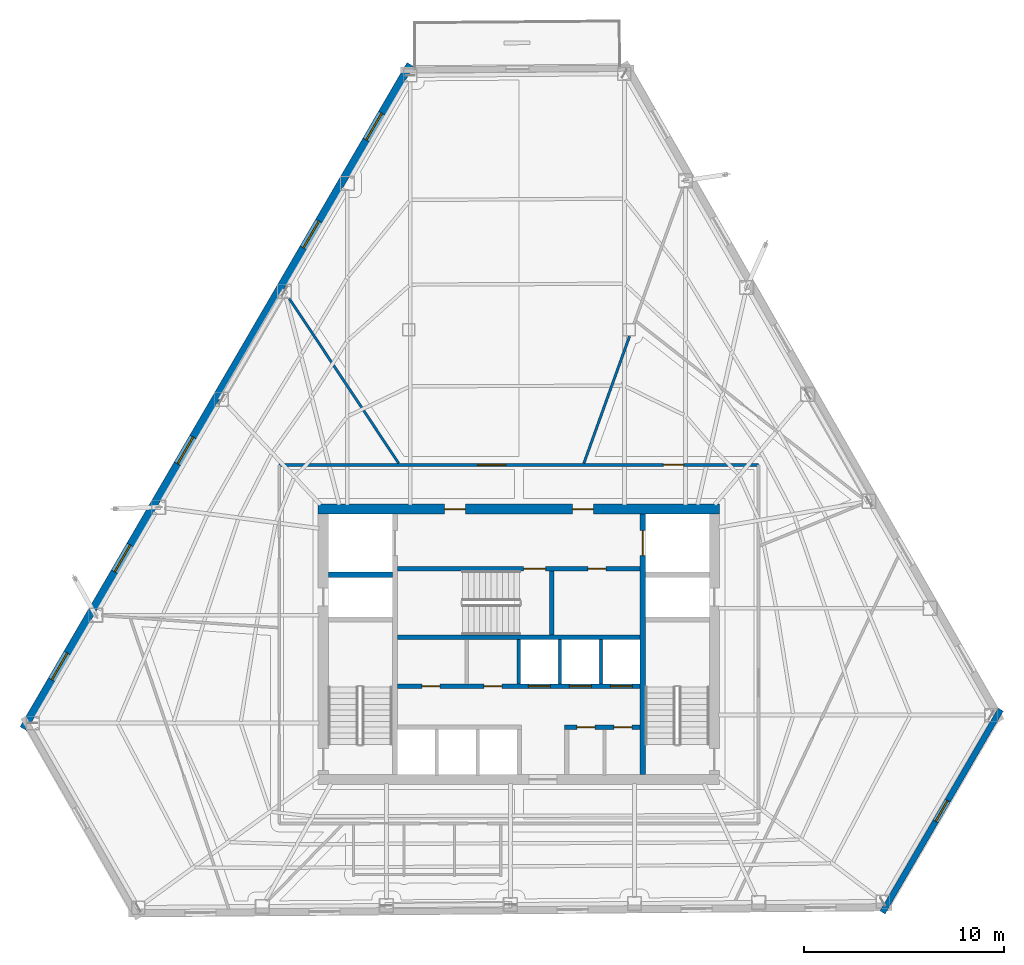
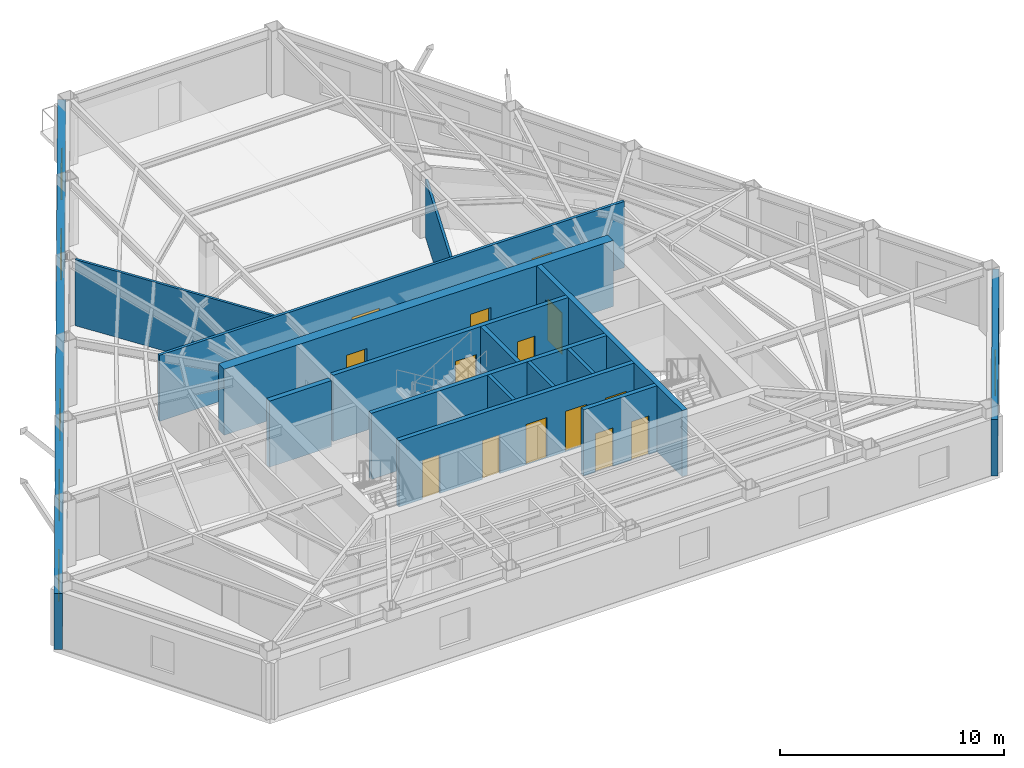
# One storey, part 9 of 12: 16 walls, 14 doors, 6 windows, 20 openings.
"""IFC4 building model written with IfcOpenShell, lengths in metres."""

from ifc_helpers import new_model, si_unit, direction, frame, frame_2d, origin, place, context, subcontext, project, spatial, rectangle, extrude, material, layer, layer_set, type_object, element, fill, save


model = new_model("IFC4")

# Units and contexts
model_context = context("Model", 3, precision=1e-05, world=origin(), true_north=direction((0.0, 1.0)))
body_context = subcontext(model_context, "Body", "Model", "MODEL_VIEW")
ifc_project = project(units=[si_unit("LENGTHUNIT", "METRE"), si_unit("AREAUNIT", "SQUARE_METRE"), si_unit("VOLUMEUNIT", "CUBIC_METRE"), si_unit("PLANEANGLEUNIT", "RADIAN"), si_unit("MASSUNIT", "GRAM", prefix="KILO")], contexts=[model_context])

# Site, building, storey
site_placement = place(None, origin())
site = spatial("IfcSite", under=ifc_project, at=site_placement, CompositionType="ELEMENT")
building_placement = place(site_placement, origin())
building = spatial("IfcBuilding", under=site, at=building_placement, Name="Kavelnor Concourse Tower", CompositionType="ELEMENT")
storey_placement = place(building_placement, frame((0.0, 0.0, 147.10009765625)))
storey = spatial("IfcBuildingStorey", under=building, at=storey_placement, Name="L37", CompositionType="ELEMENT", Elevation=147.10009765625)

# Wall, openings, doors
ifc_material_1 = material(Name="Concrete C60/75", Category="concrete")
ifc_layer_1 = layer(ifc_material_1, 0.5, Name="Concrete C60/75")
ifc_layer_set_1 = layer_set([ifc_layer_1], Name="Concrete C60/75")
wall_type_1 = type_object("IfcWallType", Name="WL-CORE-Z2-500", PredefinedType="SOLIDWALL", material=ifc_layer_set_1)
wall_1_placement = place(storey_placement, frame((27.97998046875, 22.85009765625, 0.0), z_axis=(0.0, 0.0, 1.0), x_axis=(1.0, 0.0, 0.0)))
wall_1 = element("IfcWall", 1, at=wall_1_placement, inside=storey, type_object=wall_type_1, Name="L37 Central Core North Shear Wall", PredefinedType="SOLIDWALL", context=body_context, shape_type="SweptSolid", body=[
    extrude(rectangle(XDim=20.0400390625, YDim=0.5, at=frame_2d((10.02001953125, 0.0))), origin(), (0.0, 0.0, 1.0), 3.599853515625),
])
opening_1_placement = place(wall_1_placement, frame((6.294921875, 0.0, 0.0)))
opening_1 = element("IfcOpeningElement", 2, at=opening_1_placement, cuts=wall_1, Name="Opening FD-105", PredefinedType="OPENING", context=body_context, shape_type="SweptSolid", body=[
    extrude(rectangle(XDim=1.050048828125, YDim=2.14990234375, at=frame_2d((0.52490234375, 1.074951171875))), frame((0.0, 0.260009765625, 0.0), z_axis=(0.0, -1.0, 0.0), x_axis=(1.0, 0.0, 0.0)), (0.0, 0.0, 1.0), 0.52001953125),
])
opening_2_placement = place(wall_1_placement, frame((12.695068359375, 0.0, 0.0)))
opening_2 = element("IfcOpeningElement", 3, at=opening_2_placement, cuts=wall_1, Name="Opening FD-105", PredefinedType="OPENING", context=body_context, shape_type="SweptSolid", body=[
    extrude(rectangle(XDim=1.050048828125, YDim=2.14990234375, at=frame_2d((0.52490234375, 1.074951171875))), frame((0.0, 0.260009765625, 0.0), z_axis=(0.0, -1.0, 0.0), x_axis=(1.0, 0.0, 0.0)), (0.0, 0.0, 1.0), 0.52001953125),
])
ifc_material_2 = material(Name="Steel Grade 350", Category="steel")
door_type_1 = type_object("IfcDoorType", Name="DR-LOBBY-FIRE-1050", OperationType="NOTDEFINED", PredefinedType="DOOR", material=ifc_material_2)
door_1_placement = place(opening_1_placement, origin())
door_1 = element("IfcDoor", 4, at=door_1_placement, inside=storey, type_object=door_type_1, Name="L37 Emergency Lift Lobby West Door", OperationType="SINGLE_SWING_LEFT", OverallHeight=2.14990234375, OverallWidth=1.050048828125, PredefinedType="DOOR", context=body_context, shape_type="SweptSolid", body=[
    extrude(rectangle(XDim=1.050048828125, YDim=2.14990234375, at=frame_2d((0.52490234375, 1.074951171875))), frame((0.0, 0.02490234375, 0.0), z_axis=(0.0, -1.0, 0.0), x_axis=(1.0, 0.0, 0.0)), (0.0, 0.0, 1.0), 0.050048828125),
])
fill(opening_1, door_1)
door_2_placement = place(opening_2_placement, origin())
door_2 = element("IfcDoor", 5, at=door_2_placement, inside=storey, type_object=door_type_1, Name="L37 Emergency Lift Lobby East Door", OperationType="SINGLE_SWING_RIGHT", OverallHeight=2.14990234375, OverallWidth=1.050048828125, PredefinedType="DOOR", context=body_context, shape_type="SweptSolid", body=[
    extrude(rectangle(XDim=1.050048828125, YDim=2.14990234375, at=frame_2d((0.52490234375, 1.074951171875))), frame((0.0, 0.02490234375, 0.0), z_axis=(0.0, -1.0, 0.0), x_axis=(1.0, 0.0, 0.0)), (0.0, 0.0, 1.0), 0.050048828125),
])
fill(opening_2, door_2)

# Wall, opening, window
ifc_material_3 = material(Name="Buff ironspot clay face brick masonry", Category="masonry")
ifc_layer_2 = layer(ifc_material_3, 0.300048828125, Name="Buff ironspot clay face brick masonry")
ifc_layer_set_2 = layer_set([ifc_layer_2], Name="Buff ironspot clay face brick masonry")
wall_type_2 = type_object("IfcWallType", Name="WL-EXT-BUFF-BRICK-FOLD-300", PredefinedType="STANDARD", material=ifc_layer_set_2)
wall_2_placement = place(storey_placement, frame((62.0673828125, 12.8310546875, 0.0), z_axis=(0.0, 0.0, 1.0), x_axis=(-0.503465825423, -0.864015140279, 0.0)))
wall_2 = element("IfcWall", 6, at=wall_2_placement, inside=storey, type_object=wall_type_2, Name="L37 Exterior Brick Facade Wall E4", PredefinedType="STANDARD", context=body_context, shape_type="SweptSolid", body=[
    extrude(rectangle(XDim=11.727294921875, YDim=0.300048828125, at=frame_2d((5.86376953125, 0.0))), origin(), (0.0, 0.0, 1.0), 3.058837890625),
])
opening_3_placement = place(wall_2_placement, frame((5.263671875, 0.0, 0.64990234375)))
opening_3 = element("IfcOpeningElement", 7, at=opening_3_placement, cuts=wall_2, Name="Opening W-05", PredefinedType="OPENING", context=body_context, shape_type="SweptSolid", body=[
    extrude(rectangle(XDim=1.199951171875, YDim=1.699951171875, at=frame_2d((0.60009765625, 0.85009765625))), frame((0.0, 0.16015625, 0.0), z_axis=(0.0, -1.0, 0.0), x_axis=(1.0, 0.0, 0.0)), (0.0, 0.0, 1.0), 0.320068359375),
])
ifc_material_4 = material(Name="Double low-E argon insulated glazing", Category="glass")
window_type_1 = type_object("IfcWindowType", Name="WIN-FOLD-1200", PartitioningType="SINGLE_PANEL", PredefinedType="WINDOW", material=ifc_material_4)
window_1_placement = place(opening_3_placement, origin())
window_1 = element("IfcWindow", 8, at=window_1_placement, inside=storey, type_object=window_type_1, Name="L37 Chamfer-Fold Facet Window C2", OverallHeight=1.699951171875, OverallWidth=1.199951171875, PartitioningType="SINGLE_PANEL", PredefinedType="WINDOW", context=body_context, shape_type="SweptSolid", body=[
    extrude(rectangle(XDim=1.199951171875, YDim=1.699951171875, at=frame_2d((0.60009765625, 0.85009765625))), frame((0.0, 0.030029296875, 0.0), z_axis=(0.0, -1.0, 0.0), x_axis=(1.0, 0.0, 0.0)), (0.0, 0.0, 1.0), 0.06005859375),
])
fill(opening_3, window_1)

# Wall, openings, windows
ifc_material_5 = material(Name="Red-ochre clay face brick masonry", Category="masonry")
ifc_layer_3 = layer(ifc_material_5, 0.3798828125, Name="Red-ochre clay face brick masonry")
ifc_layer_set_3 = layer_set([ifc_layer_3], Name="Red-ochre clay face brick masonry")
wall_type_3 = type_object("IfcWallType", Name="WL-EXT-RED-BRICK-PIER-380", PredefinedType="STANDARD", material=ifc_layer_set_3)
wall_3_placement = place(storey_placement, frame((13.248046875, 11.87890625, 0.0), z_axis=(0.0, 0.0, 1.0), x_axis=(0.503467320033, 0.864014269361, 0.0)))
wall_3 = element("IfcWall", 9, at=wall_3_placement, inside=storey, type_object=wall_type_3, Name="L37 Exterior Brick Facade Wall E1", PredefinedType="STANDARD", context=body_context, shape_type="SweptSolid", body=[
    extrude(rectangle(XDim=38.395751953125, YDim=0.3798828125, at=frame_2d((19.19775390625, 0.0))), origin(), (0.0, 0.0, 1.0), 3.058837890625),
])
opening_4_placement = place(wall_3_placement, frame((34.027099609375, 0.0, 0.64990234375)))
opening_4 = element("IfcOpeningElement", 10, at=opening_4_placement, cuts=wall_3, Name="Opening W-02", PredefinedType="OPENING", context=body_context, shape_type="SweptSolid", body=[
    extrude(rectangle(XDim=1.550048828125, YDim=1.75, at=frame_2d((0.77490234375, 0.875))), frame((0.0, 0.199951171875, 0.0), z_axis=(0.0, -1.0, 0.0), x_axis=(1.0, 0.0, 0.0)), (0.0, 0.0, 1.0), 0.39990234375),
])
opening_5_placement = place(wall_3_placement, frame((27.786376953125, 0.0, 0.64990234375)))
opening_5 = element("IfcOpeningElement", 11, at=opening_5_placement, cuts=wall_3, Name="Opening W-02", PredefinedType="OPENING", context=body_context, shape_type="SweptSolid", body=[
    extrude(rectangle(XDim=1.550048828125, YDim=1.75, at=frame_2d((0.77490234375, 0.875))), frame((0.0, 0.199951171875, 0.0), z_axis=(0.0, -1.0, 0.0), x_axis=(1.0, 0.0, 0.0)), (0.0, 0.0, 1.0), 0.39990234375),
])
opening_6_placement = place(wall_3_placement, frame((15.304443359375, 0.0, 0.64990234375)))
opening_6 = element("IfcOpeningElement", 12, at=opening_6_placement, cuts=wall_3, Name="Opening W-02", PredefinedType="OPENING", context=body_context, shape_type="SweptSolid", body=[
    extrude(rectangle(XDim=1.550048828125, YDim=1.75, at=frame_2d((0.77490234375, 0.875))), frame((0.0, 0.199951171875, 0.0), z_axis=(0.0, -1.0, 0.0), x_axis=(1.0, 0.0, 0.0)), (0.0, 0.0, 1.0), 0.39990234375),
])
opening_7_placement = place(wall_3_placement, frame((9.0634765625, 0.0, 0.64990234375)))
opening_7 = element("IfcOpeningElement", 13, at=opening_7_placement, cuts=wall_3, Name="Opening W-02", PredefinedType="OPENING", context=body_context, shape_type="SweptSolid", body=[
    extrude(rectangle(XDim=1.550048828125, YDim=1.75, at=frame_2d((0.77490234375, 0.875))), frame((0.0, 0.199951171875, 0.0), z_axis=(0.0, -1.0, 0.0), x_axis=(1.0, 0.0, 0.0)), (0.0, 0.0, 1.0), 0.39990234375),
])
opening_8_placement = place(wall_3_placement, frame((2.822509765625, 0.0, 0.64990234375)))
opening_8 = element("IfcOpeningElement", 14, at=opening_8_placement, cuts=wall_3, Name="Opening W-02", PredefinedType="OPENING", context=body_context, shape_type="SweptSolid", body=[
    extrude(rectangle(XDim=1.550048828125, YDim=1.75, at=frame_2d((0.77490234375, 0.875))), frame((0.0, 0.199951171875, 0.0), z_axis=(0.0, -1.0, 0.0), x_axis=(1.0, 0.0, 0.0)), (0.0, 0.0, 1.0), 0.39990234375),
])
window_type_2 = type_object("IfcWindowType", Name="WIN-PIER-Z2-1650", PartitioningType="SINGLE_PANEL", PredefinedType="WINDOW", material=ifc_material_4)
window_2_placement = place(opening_4_placement, origin())
window_2 = element("IfcWindow", 15, at=window_2_placement, inside=storey, type_object=window_type_2, Name="L37 Deep-Set Brick Pier Window F0-B0", OverallHeight=1.75, OverallWidth=1.550048828125, PartitioningType="SINGLE_PANEL", PredefinedType="WINDOW", context=body_context, shape_type="SweptSolid", body=[
    extrude(rectangle(XDim=1.550048828125, YDim=1.75, at=frame_2d((0.77490234375, 0.875))), frame((0.0, 0.030029296875, 0.0), z_axis=(0.0, -1.0, 0.0), x_axis=(1.0, 0.0, 0.0)), (0.0, 0.0, 1.0), 0.06005859375),
])
fill(opening_4, window_2)
window_3_placement = place(opening_5_placement, origin())
window_3 = element("IfcWindow", 16, at=window_3_placement, inside=storey, type_object=window_type_2, Name="L37 Deep-Set Brick Pier Window F0-B1", OverallHeight=1.75, OverallWidth=1.550048828125, PartitioningType="SINGLE_PANEL", PredefinedType="WINDOW", context=body_context, shape_type="SweptSolid", body=[
    extrude(rectangle(XDim=1.550048828125, YDim=1.75, at=frame_2d((0.77490234375, 0.875))), frame((0.0, 0.030029296875, 0.0), z_axis=(0.0, -1.0, 0.0), x_axis=(1.0, 0.0, 0.0)), (0.0, 0.0, 1.0), 0.06005859375),
])
fill(opening_5, window_3)
window_4_placement = place(opening_6_placement, origin())
window_4 = element("IfcWindow", 17, at=window_4_placement, inside=storey, type_object=window_type_2, Name="L37 Deep-Set Brick Pier Window F0-B3", OverallHeight=1.75, OverallWidth=1.550048828125, PartitioningType="SINGLE_PANEL", PredefinedType="WINDOW", context=body_context, shape_type="SweptSolid", body=[
    extrude(rectangle(XDim=1.550048828125, YDim=1.75, at=frame_2d((0.77490234375, 0.875))), frame((0.0, 0.030029296875, 0.0), z_axis=(0.0, -1.0, 0.0), x_axis=(1.0, 0.0, 0.0)), (0.0, 0.0, 1.0), 0.06005859375),
])
fill(opening_6, window_4)
window_5_placement = place(opening_7_placement, origin())
window_5 = element("IfcWindow", 18, at=window_5_placement, inside=storey, type_object=window_type_2, Name="L37 Deep-Set Brick Pier Window F0-B4", OverallHeight=1.75, OverallWidth=1.550048828125, PartitioningType="SINGLE_PANEL", PredefinedType="WINDOW", context=body_context, shape_type="SweptSolid", body=[
    extrude(rectangle(XDim=1.550048828125, YDim=1.75, at=frame_2d((0.77490234375, 0.875))), frame((0.0, 0.030029296875, 0.0), z_axis=(0.0, -1.0, 0.0), x_axis=(1.0, 0.0, 0.0)), (0.0, 0.0, 1.0), 0.06005859375),
])
fill(opening_7, window_5)
window_6_placement = place(opening_8_placement, origin())
window_6 = element("IfcWindow", 19, at=window_6_placement, inside=storey, type_object=window_type_2, Name="L37 Deep-Set Brick Pier Window F0-B5", OverallHeight=1.75, OverallWidth=1.550048828125, PartitioningType="SINGLE_PANEL", PredefinedType="WINDOW", context=body_context, shape_type="SweptSolid", body=[
    extrude(rectangle(XDim=1.550048828125, YDim=1.75, at=frame_2d((0.77490234375, 0.875))), frame((0.0, 0.030029296875, 0.0), z_axis=(0.0, -1.0, 0.0), x_axis=(1.0, 0.0, 0.0)), (0.0, 0.0, 1.0), 0.06005859375),
])
fill(opening_8, window_6)

# Wall, openings, doors
ifc_material_6 = material(Name="Gypsum plasterboard on light-gauge steel studs", Category="steel")
ifc_layer_4 = layer(ifc_material_6, 0.14501953125, Name="Gypsum plasterboard on light-gauge steel studs")
ifc_layer_set_4 = layer_set([ifc_layer_4], Name="Gypsum plasterboard on light-gauge steel studs")
wall_type_4 = type_object("IfcWallType", Name="WL-INT-CORR-145", PredefinedType="PARTITIONING", material=ifc_layer_set_4)
wall_4_placement = place(storey_placement, frame((49.969970703125, 25.050048828125, 0.0), z_axis=(0.0, 0.0, 1.0), x_axis=(-1.0, 0.0, 0.0)))
wall_4 = element("IfcWall", 20, at=wall_4_placement, inside=storey, type_object=wall_type_4, Name="L37 Corridor Wall WL-L37-CR-02", PredefinedType="PARTITIONING", context=body_context, shape_type="SweptSolid", body=[
    extrude(rectangle(XDim=23.93994140625, YDim=0.14501953125, at=frame_2d((11.969970703125, 0.0))), origin(), (0.0, 0.0, 1.0), 3.599853515625),
])
opening_9_placement = place(wall_4_placement, frame((3.73779296875, 0.0, 0.0)))
opening_9 = element("IfcOpeningElement", 21, at=opening_9_placement, cuts=wall_4, Name="Opening MD-102", PredefinedType="OPENING", context=body_context, shape_type="SweptSolid", body=[
    extrude(rectangle(XDim=1.02001953125, YDim=2.14990234375, at=frame_2d((0.510009765625, 1.074951171875))), frame((0.0, 0.08251953125, 0.0), z_axis=(0.0, -1.0, 0.0), x_axis=(1.0, 0.0, 0.0)), (0.0, 0.0, 1.0), 0.1650390625),
])
opening_10_placement = place(wall_4_placement, frame((12.623779296875, 0.0, 0.0)))
opening_10 = element("IfcOpeningElement", 22, at=opening_10_placement, cuts=wall_4, Name="Opening SD-140", PredefinedType="OPENING", context=body_context, shape_type="SweptSolid", body=[
    extrude(rectangle(XDim=1.39990234375, YDim=2.199951171875, at=frame_2d((0.699951171875, 1.10009765625))), frame((0.0, 0.08251953125, 0.0), z_axis=(0.0, -1.0, 0.0), x_axis=(1.0, 0.0, 0.0)), (0.0, 0.0, 1.0), 0.1650390625),
])
ifc_material_7 = material(Name="Acoustic glazed timber frame", Category="wood")
door_type_2 = type_object("IfcDoorType", Name="DR-MEETING-1020", OperationType="NOTDEFINED", PredefinedType="DOOR", material=ifc_material_7)
door_3_placement = place(opening_9_placement, origin())
door_3 = element("IfcDoor", 23, at=door_3_placement, inside=storey, type_object=door_type_2, Name="L37 Client Boardroom 01 Door", OperationType="SINGLE_SWING_LEFT", OverallHeight=2.14990234375, OverallWidth=1.02001953125, PredefinedType="DOOR", context=body_context, shape_type="SweptSolid", body=[
    extrude(rectangle(XDim=1.02001953125, YDim=2.14990234375, at=frame_2d((0.510009765625, 1.074951171875))), frame((0.0, 0.02490234375, 0.0), z_axis=(0.0, -1.0, 0.0), x_axis=(1.0, 0.0, 0.0)), (0.0, 0.0, 1.0), 0.050048828125),
])
fill(opening_9, door_3)
ifc_material_8 = material(Name="Solid-core hardwood timber", Category="wood")
door_type_3 = type_object("IfcDoorType", Name="DR-SUITE-ENTRY-1400", OperationType="NOTDEFINED", PredefinedType="DOOR", material=ifc_material_8)
door_4_placement = place(opening_10_placement, origin())
door_4 = element("IfcDoor", 24, at=door_4_placement, inside=storey, type_object=door_type_3, Name="L37 Building Staff Breakroom 03 Door", OperationType="SINGLE_SWING_LEFT", OverallHeight=2.199951171875, OverallWidth=1.39990234375, PredefinedType="DOOR", context=body_context, shape_type="SweptSolid", body=[
    extrude(rectangle(XDim=1.39990234375, YDim=2.199951171875, at=frame_2d((0.699951171875, 1.10009765625))), frame((0.0, 0.02490234375, 0.0), z_axis=(0.0, -1.0, 0.0), x_axis=(1.0, 0.0, 0.0)), (0.0, 0.0, 1.0), 0.050048828125),
])
fill(opening_10, door_4)

# Walls
ifc_layer_5 = layer(ifc_material_6, 0.1650390625, Name="Gypsum plasterboard on light-gauge steel studs")
ifc_layer_set_5 = layer_set([ifc_layer_5], Name="Gypsum plasterboard on light-gauge steel studs")
wall_type_5 = type_object("IfcWallType", Name="WL-INT-FIRE-165", PredefinedType="PARTITIONING", material=ifc_layer_set_5)
for number, where, z_axis, x_axis, name in (
    (25, (38.0, 14.10009765625, 0.0), (0.0, 0.0, 1.0), (0.0, 1.0, 0.0), "L37 Reclaimed Core Zone Partition"),
    (26, (40.050048828125, 14.10009765625, 0.0), (0.0, 0.0, 1.0), (0.0, 1.0, 0.0), "L37 Lift Shaft Divider LP4"),
    (27, (42.10009765625, 14.10009765625, 0.0), (0.0, 0.0, 1.0), (0.0, 1.0, 0.0), "L37 Lift Shaft Divider LP5"),
):
    element("IfcWall", number, at=place(storey_placement, frame(where, z_axis=z_axis, x_axis=x_axis)), inside=storey, type_object=wall_type_5, Name=name, PredefinedType="PARTITIONING", context=body_context, shape_type="SweptSolid", body=[
        extrude(rectangle(XDim=2.239990234375, YDim=0.1650390625, at=frame_2d((1.1201171875, 0.0))), origin(), (0.0, 0.0, 1.0), 3.599853515625),
    ])
ifc_layer_6 = layer(ifc_material_6, 0.125, Name="Gypsum plasterboard on light-gauge steel studs")
ifc_layer_set_6 = layer_set([ifc_layer_6], Name="Gypsum plasterboard on light-gauge steel studs")
wall_type_6 = type_object("IfcWallType", Name="WL-INT-SUITE-125", PredefinedType="PARTITIONING", material=ifc_layer_set_6)
wall_5_placement = place(storey_placement, frame((41.245849609375, 25.130615234375, 0.0), z_axis=(0.0, 0.0, 1.0), x_axis=(0.338281948688, 0.94104480403, 0.0)))
element("IfcWall", 28, at=wall_5_placement, inside=storey, type_object=wall_type_6, Name="L37 Radial Suite Partition 02", PredefinedType="PARTITIONING", context=body_context, shape_type="SweptSolid", body=[
    extrude(rectangle(XDim=6.738525390625, YDim=0.125, at=frame_2d((3.369140625, 0.0))), origin(), (0.0, 0.0, 1.0), 3.140869140625),
])
wall_6_placement = place(storey_placement, frame((31.999755859375, 25.130615234375, 0.0), z_axis=(0.0, 0.0, 1.0), x_axis=(-0.553410221261, 0.83290883475, 0.0)))
element("IfcWall", 29, at=wall_6_placement, inside=storey, type_object=wall_type_6, Name="L37 Radial Suite Partition 03", PredefinedType="PARTITIONING", context=body_context, shape_type="SweptSolid", body=[
    extrude(rectangle(XDim=9.875732421875, YDim=0.125, at=frame_2d((4.93798828125, 0.0))), origin(), (0.0, 0.0, 1.0), 3.599853515625),
])

# Wall, openings, doors
ifc_material_9 = material(Name="Concrete C50/60", Category="concrete")
ifc_layer_7 = layer(ifc_material_9, 0.219970703125, Name="Concrete C50/60")
ifc_layer_set_7 = layer_set([ifc_layer_7], Name="Concrete C50/60")
wall_type_7 = type_object("IfcWallType", Name="WL-SHAFT-220", PredefinedType="SOLIDWALL", material=ifc_layer_set_7)
wall_7_placement = place(storey_placement, frame((31.93994140625, 19.8701171875, 0.0), z_axis=(0.0, 0.0, 1.0), x_axis=(1.0, 0.0, 0.0)))
wall_7 = element("IfcWall", 30, at=wall_7_placement, inside=storey, type_object=wall_type_7, Name="L37 Emergency Lift Lobby South Wall", PredefinedType="SOLIDWALL", context=body_context, shape_type="SweptSolid", body=[
    extrude(rectangle(XDim=12.1201171875, YDim=0.219970703125, at=frame_2d((6.06005859375, 0.0))), origin(), (0.0, 0.0, 1.0), 3.599853515625),
])
opening_11_placement = place(wall_7_placement, frame((6.300048828125, 0.0, 0.0)))
opening_11 = element("IfcOpeningElement", 31, at=opening_11_placement, cuts=wall_7, Name="Opening FD-110", PredefinedType="OPENING", context=body_context, shape_type="SweptSolid", body=[
    extrude(rectangle(XDim=1.10009765625, YDim=2.14990234375, at=frame_2d((0.550048828125, 1.074951171875))), frame((0.0, 0.1201171875, 0.0), z_axis=(0.0, -1.0, 0.0), x_axis=(1.0, 0.0, 0.0)), (0.0, 0.0, 1.0), 0.239990234375),
])
opening_12_placement = place(wall_7_placement, frame((9.510009765625, 0.0, 0.0)))
opening_12 = element("IfcOpeningElement", 32, at=opening_12_placement, cuts=wall_7, Name="Opening FD-090", PredefinedType="OPENING", context=body_context, shape_type="SweptSolid", body=[
    extrude(rectangle(XDim=0.89990234375, YDim=2.10009765625, at=frame_2d((0.449951171875, 1.050048828125))), frame((0.0, 0.1201171875, 0.0), z_axis=(0.0, -1.0, 0.0), x_axis=(1.0, 0.0, 0.0)), (0.0, 0.0, 1.0), 0.239990234375),
])
door_type_4 = type_object("IfcDoorType", Name="DR-RISER-FIRE-900", OperationType="NOTDEFINED", PredefinedType="DOOR", material=ifc_material_2)
door_5_placement = place(opening_12_placement, origin())
door_5 = element("IfcDoor", 33, at=door_5_placement, inside=storey, type_object=door_type_4, Name="L37 Electrical Comms Door", OperationType="SINGLE_SWING_LEFT", OverallHeight=2.10009765625, OverallWidth=0.89990234375, PredefinedType="DOOR", context=body_context, shape_type="SweptSolid", body=[
    extrude(rectangle(XDim=0.89990234375, YDim=2.10009765625, at=frame_2d((0.449951171875, 1.050048828125))), frame((0.0, 0.02490234375, 0.0), z_axis=(0.0, -1.0, 0.0), x_axis=(1.0, 0.0, 0.0)), (0.0, 0.0, 1.0), 0.050048828125),
])
fill(opening_12, door_5)
door_type_5 = type_object("IfcDoorType", Name="DR-STAIR-FIRE-1100", OperationType="NOTDEFINED", PredefinedType="DOOR", material=ifc_material_2)
door_6_placement = place(opening_11_placement, origin())
door_6 = element("IfcDoor", 34, at=door_6_placement, inside=storey, type_object=door_type_5, Name="L37 Stair ST3 Fire Door", OperationType="SINGLE_SWING_LEFT", OverallHeight=2.14990234375, OverallWidth=1.10009765625, PredefinedType="DOOR", context=body_context, shape_type="SweptSolid", body=[
    extrude(rectangle(XDim=1.10009765625, YDim=2.14990234375, at=frame_2d((0.550048828125, 1.074951171875))), frame((0.0, 0.02490234375, 0.0), z_axis=(0.0, -1.0, 0.0), x_axis=(1.0, 0.0, 0.0)), (0.0, 0.0, 1.0), 0.050048828125),
])
fill(opening_11, door_6)

# Walls
wall_8_placement = place(storey_placement, frame((31.93994140625, 16.449951171875, 0.0), z_axis=(0.0, 0.0, 1.0), x_axis=(1.0, 0.0, 0.0)))
element("IfcWall", 35, at=wall_8_placement, inside=storey, type_object=wall_type_7, Name="L37 Stair ST3 South Core Wall", PredefinedType="SOLIDWALL", context=body_context, shape_type="SweptSolid", body=[
    extrude(rectangle(XDim=12.1201171875, YDim=0.219970703125, at=frame_2d((6.06005859375, 0.0))), origin(), (0.0, 0.0, 1.0), 3.599853515625),
])
wall_9_placement = place(storey_placement, frame((39.64990234375, 16.56005859375, 0.0), z_axis=(0.0, 0.0, 1.0), x_axis=(0.0, 1.0, 0.0)))
element("IfcWall", 36, at=wall_9_placement, inside=storey, type_object=wall_type_7, Name="L37 Stair ST3 East Core Wall", PredefinedType="SOLIDWALL", context=body_context, shape_type="SweptSolid", body=[
    extrude(rectangle(XDim=3.199951171875, YDim=0.219970703125, at=frame_2d((1.60009765625, 0.0))), origin(), (0.0, 0.0, 1.0), 3.599853515625),
])

# Wall, openings, doors
wall_10_placement = place(storey_placement, frame((31.93994140625, 13.989990234375, 0.0), z_axis=(0.0, 0.0, 1.0), x_axis=(1.0, 0.0, 0.0)))
wall_10 = element("IfcWall", 37, at=wall_10_placement, inside=storey, type_object=wall_type_7, Name="L37 North Lift Row Shaft Wall", PredefinedType="SOLIDWALL", context=body_context, shape_type="SweptSolid", body=[
    extrude(rectangle(XDim=12.1201171875, YDim=0.219970703125, at=frame_2d((6.06005859375, 0.0))), origin(), (0.0, 0.0, 1.0), 3.599853515625),
])
opening_13_placement = place(wall_10_placement, frame((1.2099609375, 0.0, 0.0)))
opening_13 = element("IfcOpeningElement", 38, at=opening_13_placement, cuts=wall_10, Name="Opening FD-090", PredefinedType="OPENING", context=body_context, shape_type="SweptSolid", body=[
    extrude(rectangle(XDim=0.89990234375, YDim=2.10009765625, at=frame_2d((0.449951171875, 1.050048828125))), frame((0.0, 0.1201171875, 0.0), z_axis=(0.0, -1.0, 0.0), x_axis=(1.0, 0.0, 0.0)), (0.0, 0.0, 1.0), 0.239990234375),
])
opening_14_placement = place(wall_10_placement, frame((4.31005859375, 0.0, 0.0)))
opening_14 = element("IfcOpeningElement", 39, at=opening_14_placement, cuts=wall_10, Name="Opening FD-090", PredefinedType="OPENING", context=body_context, shape_type="SweptSolid", body=[
    extrude(rectangle(XDim=0.89990234375, YDim=2.10009765625, at=frame_2d((0.449951171875, 1.050048828125))), frame((0.0, 0.1201171875, 0.0), z_axis=(0.0, -1.0, 0.0), x_axis=(1.0, 0.0, 0.0)), (0.0, 0.0, 1.0), 0.239990234375),
])
opening_15_placement = place(wall_10_placement, frame((6.534912109375, 0.0, 0.0)))
opening_15 = element("IfcOpeningElement", 40, at=opening_15_placement, cuts=wall_10, Name="Opening LD-110", PredefinedType="OPENING", context=body_context, shape_type="SweptSolid", body=[
    extrude(rectangle(XDim=1.10009765625, YDim=2.199951171875, at=frame_2d((0.550048828125, 1.10009765625))), frame((0.0, 0.1201171875, 0.0), z_axis=(0.0, -1.0, 0.0), x_axis=(1.0, 0.0, 0.0)), (0.0, 0.0, 1.0), 0.239990234375),
])
opening_16_placement = place(wall_10_placement, frame((8.5849609375, 0.0, 0.0)))
opening_16 = element("IfcOpeningElement", 41, at=opening_16_placement, cuts=wall_10, Name="Opening LD-110", PredefinedType="OPENING", context=body_context, shape_type="SweptSolid", body=[
    extrude(rectangle(XDim=1.10009765625, YDim=2.199951171875, at=frame_2d((0.550048828125, 1.10009765625))), frame((0.0, 0.1201171875, 0.0), z_axis=(0.0, -1.0, 0.0), x_axis=(1.0, 0.0, 0.0)), (0.0, 0.0, 1.0), 0.239990234375),
])
opening_17_placement = place(wall_10_placement, frame((10.635009765625, 0.0, 0.0)))
opening_17 = element("IfcOpeningElement", 42, at=opening_17_placement, cuts=wall_10, Name="Opening LD-110", PredefinedType="OPENING", context=body_context, shape_type="SweptSolid", body=[
    extrude(rectangle(XDim=1.10009765625, YDim=2.199951171875, at=frame_2d((0.550048828125, 1.10009765625))), frame((0.0, 0.1201171875, 0.0), z_axis=(0.0, -1.0, 0.0), x_axis=(1.0, 0.0, 0.0)), (0.0, 0.0, 1.0), 0.239990234375),
])
door_type_6 = type_object("IfcDoorType", Name="DR-LIFT-SLIDING-1100", OperationType="NOTDEFINED", PredefinedType="DOOR", material=ifc_material_2)
door_7_placement = place(opening_15_placement, origin())
door_7 = element("IfcDoor", 43, at=door_7_placement, inside=storey, type_object=door_type_6, Name="L37 Lift LP4 Landing Door", OperationType="DOUBLE_DOOR_SLIDING", OverallHeight=2.199951171875, OverallWidth=1.10009765625, PredefinedType="DOOR", context=body_context, shape_type="SweptSolid", body=[
    extrude(rectangle(XDim=1.10009765625, YDim=2.199951171875, at=frame_2d((0.550048828125, 1.10009765625))), frame((0.0, 0.02490234375, 0.0), z_axis=(0.0, -1.0, 0.0), x_axis=(1.0, 0.0, 0.0)), (0.0, 0.0, 1.0), 0.050048828125),
])
fill(opening_15, door_7)
door_8_placement = place(opening_16_placement, origin())
door_8 = element("IfcDoor", 44, at=door_8_placement, inside=storey, type_object=door_type_6, Name="L37 Lift LP5 Landing Door", OperationType="DOUBLE_DOOR_SLIDING", OverallHeight=2.199951171875, OverallWidth=1.10009765625, PredefinedType="DOOR", context=body_context, shape_type="SweptSolid", body=[
    extrude(rectangle(XDim=1.10009765625, YDim=2.199951171875, at=frame_2d((0.550048828125, 1.10009765625))), frame((0.0, 0.02490234375, 0.0), z_axis=(0.0, -1.0, 0.0), x_axis=(1.0, 0.0, 0.0)), (0.0, 0.0, 1.0), 0.050048828125),
])
fill(opening_16, door_8)
door_9_placement = place(opening_17_placement, origin())
door_9 = element("IfcDoor", 45, at=door_9_placement, inside=storey, type_object=door_type_6, Name="L37 Lift LP6 Landing Door", OperationType="DOUBLE_DOOR_SLIDING", OverallHeight=2.199951171875, OverallWidth=1.10009765625, PredefinedType="DOOR", context=body_context, shape_type="SweptSolid", body=[
    extrude(rectangle(XDim=1.10009765625, YDim=2.199951171875, at=frame_2d((0.550048828125, 1.10009765625))), frame((0.0, 0.02490234375, 0.0), z_axis=(0.0, -1.0, 0.0), x_axis=(1.0, 0.0, 0.0)), (0.0, 0.0, 1.0), 0.050048828125),
])
fill(opening_17, door_9)
door_10_placement = place(opening_13_placement, origin())
door_10 = element("IfcDoor", 46, at=door_10_placement, inside=storey, type_object=door_type_4, Name="L37 Core Tea Pantry Door", OperationType="SINGLE_SWING_RIGHT", OverallHeight=2.10009765625, OverallWidth=0.89990234375, PredefinedType="DOOR", context=body_context, shape_type="SweptSolid", body=[
    extrude(rectangle(XDim=0.89990234375, YDim=2.10009765625, at=frame_2d((0.449951171875, 1.050048828125))), frame((0.0, 0.02490234375, 0.0), z_axis=(0.0, -1.0, 0.0), x_axis=(1.0, 0.0, 0.0)), (0.0, 0.0, 1.0), 0.050048828125),
])
fill(opening_13, door_10)
door_11_placement = place(opening_14_placement, origin())
door_11 = element("IfcDoor", 47, at=door_11_placement, inside=storey, type_object=door_type_4, Name="L37 Archive Store Door", OperationType="SINGLE_SWING_LEFT", OverallHeight=2.10009765625, OverallWidth=0.89990234375, PredefinedType="DOOR", context=body_context, shape_type="SweptSolid", body=[
    extrude(rectangle(XDim=0.89990234375, YDim=2.10009765625, at=frame_2d((0.449951171875, 1.050048828125))), frame((0.0, 0.02490234375, 0.0), z_axis=(0.0, -1.0, 0.0), x_axis=(1.0, 0.0, 0.0)), (0.0, 0.0, 1.0), 0.050048828125),
])
fill(opening_14, door_11)

wall_11_placement = place(storey_placement, frame((40.280029296875, 11.949951171875, 0.0), z_axis=(0.0, 0.0, 1.0), x_axis=(1.0, 0.0, 0.0)))
wall_11 = element("IfcWall", 48, at=wall_11_placement, inside=storey, type_object=wall_type_7, Name="L37 Core South Support North Wall", PredefinedType="SOLIDWALL", context=body_context, shape_type="SweptSolid", body=[
    extrude(rectangle(XDim=3.780029296875, YDim=0.219970703125, at=frame_2d((1.89013671875, 0.0))), origin(), (0.0, 0.0, 1.0), 3.599853515625),
])
opening_18_placement = place(wall_11_placement, frame((0.6201171875, 0.0, 0.0)))
opening_18 = element("IfcOpeningElement", 49, at=opening_18_placement, cuts=wall_11, Name="Opening FD-090", PredefinedType="OPENING", context=body_context, shape_type="SweptSolid", body=[
    extrude(rectangle(XDim=0.89990234375, YDim=2.10009765625, at=frame_2d((0.449951171875, 1.050048828125))), frame((0.0, 0.1201171875, 0.0), z_axis=(0.0, -1.0, 0.0), x_axis=(1.0, 0.0, 0.0)), (0.0, 0.0, 1.0), 0.239990234375),
])
opening_19_placement = place(wall_11_placement, frame((2.469970703125, 0.0, 0.0)))
opening_19 = element("IfcOpeningElement", 50, at=opening_19_placement, cuts=wall_11, Name="Opening FD-090", PredefinedType="OPENING", context=body_context, shape_type="SweptSolid", body=[
    extrude(rectangle(XDim=0.89990234375, YDim=2.10009765625, at=frame_2d((0.449951171875, 1.050048828125))), frame((0.0, 0.1201171875, 0.0), z_axis=(0.0, -1.0, 0.0), x_axis=(1.0, 0.0, 0.0)), (0.0, 0.0, 1.0), 0.239990234375),
])
door_12_placement = place(opening_18_placement, origin())
door_12 = element("IfcDoor", 51, at=door_12_placement, inside=storey, type_object=door_type_4, Name="L37 Cleaner Cupboard Door", OperationType="SINGLE_SWING_RIGHT", OverallHeight=2.10009765625, OverallWidth=0.89990234375, PredefinedType="DOOR", context=body_context, shape_type="SweptSolid", body=[
    extrude(rectangle(XDim=0.89990234375, YDim=2.10009765625, at=frame_2d((0.449951171875, 1.050048828125))), frame((0.0, 0.02490234375, 0.0), z_axis=(0.0, -1.0, 0.0), x_axis=(1.0, 0.0, 0.0)), (0.0, 0.0, 1.0), 0.050048828125),
])
fill(opening_18, door_12)
door_13_placement = place(opening_19_placement, origin())
door_13 = element("IfcDoor", 52, at=door_13_placement, inside=storey, type_object=door_type_4, Name="L37 Supplies Store Door", OperationType="SINGLE_SWING_LEFT", OverallHeight=2.10009765625, OverallWidth=0.89990234375, PredefinedType="DOOR", context=body_context, shape_type="SweptSolid", body=[
    extrude(rectangle(XDim=0.89990234375, YDim=2.10009765625, at=frame_2d((0.449951171875, 1.050048828125))), frame((0.0, 0.02490234375, 0.0), z_axis=(0.0, -1.0, 0.0), x_axis=(1.0, 0.0, 0.0)), (0.0, 0.0, 1.0), 0.050048828125),
])
fill(opening_19, door_13)

# Wall, opening, door
ifc_layer_8 = layer(ifc_material_9, 0.260009765625, Name="Concrete C50/60")
ifc_layer_set_8 = layer_set([ifc_layer_8], Name="Concrete C50/60")
wall_type_8 = type_object("IfcWallType", Name="WL-SHAFT-260", PredefinedType="SHEAR", material=ifc_layer_set_8)
wall_12_placement = place(storey_placement, frame((44.18994140625, 9.60009765625, 0.0), z_axis=(0.0, 0.0, 1.0), x_axis=(0.0, 1.0, 0.0)))
wall_12 = element("IfcWall", 53, at=wall_12_placement, inside=storey, type_object=wall_type_8, Name="L37 Core East Wing Shear Wall", PredefinedType="SHEAR", context=body_context, shape_type="SweptSolid", body=[
    extrude(rectangle(XDim=13.0, YDim=0.260009765625, at=frame_2d((6.5, 0.0))), origin(), (0.0, 0.0, 1.0), 3.599853515625),
])
opening_20_placement = place(wall_12_placement, frame((10.925048828125, 0.0, 0.0)))
opening_20 = element("IfcOpeningElement", 54, at=opening_20_placement, cuts=wall_12, Name="Opening LD-125", PredefinedType="OPENING", context=body_context, shape_type="SweptSolid", body=[
    extrude(rectangle(XDim=1.25, YDim=2.25, at=frame_2d((0.625, 1.125))), frame((0.0, 0.14013671875, 0.0), z_axis=(0.0, -1.0, 0.0), x_axis=(1.0, 0.0, 0.0)), (0.0, 0.0, 1.0), 0.280029296875),
])
door_type_7 = type_object("IfcDoorType", Name="DR-LIFT-SLIDING-1250", OperationType="NOTDEFINED", PredefinedType="DOOR", material=ifc_material_2)
door_14_placement = place(opening_20_placement, origin())
door_14 = element("IfcDoor", 55, at=door_14_placement, inside=storey, type_object=door_type_7, Name="L37 Emergency Lift FL2 Landing Door", OperationType="DOUBLE_DOOR_SLIDING", OverallHeight=2.25, OverallWidth=1.25, PredefinedType="DOOR", context=body_context, shape_type="SweptSolid", body=[
    extrude(rectangle(XDim=1.25, YDim=2.25, at=frame_2d((0.625, 1.125))), frame((0.0, 0.02490234375, 0.0), z_axis=(0.0, -1.0, 0.0), x_axis=(1.0, 0.0, 0.0)), (0.0, 0.0, 1.0), 0.050048828125),
])
fill(opening_20, door_14)

# Wall
wall_13_placement = place(storey_placement, frame((28.47998046875, 19.570068359375, 0.0), z_axis=(0.0, 0.0, 1.0), x_axis=(1.0, 0.0, 0.0)))
element("IfcWall", 56, at=wall_13_placement, inside=storey, type_object=wall_type_8, Name="L37 Emergency Lift FL1 South Shaft Wall", PredefinedType="SHEAR", context=body_context, shape_type="SweptSolid", body=[
    extrude(rectangle(XDim=3.199951171875, YDim=0.260009765625, at=frame_2d((1.60009765625, 0.0))), origin(), (0.0, 0.0, 1.0), 3.599853515625),
])

save(model, "model.ifc")
